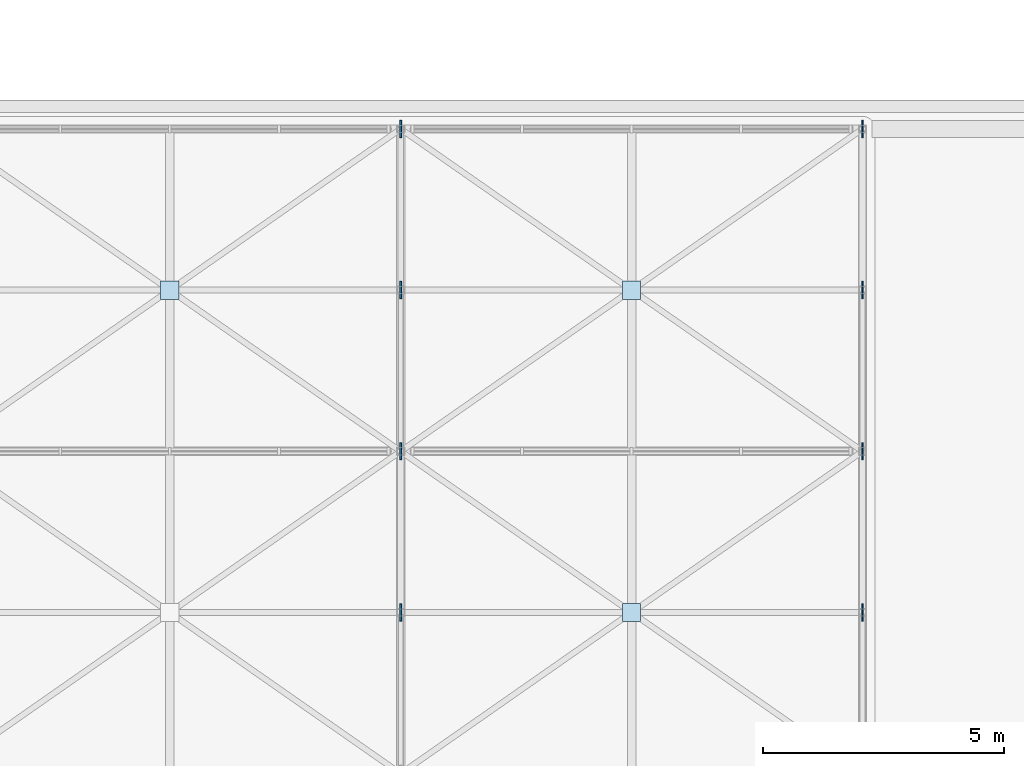
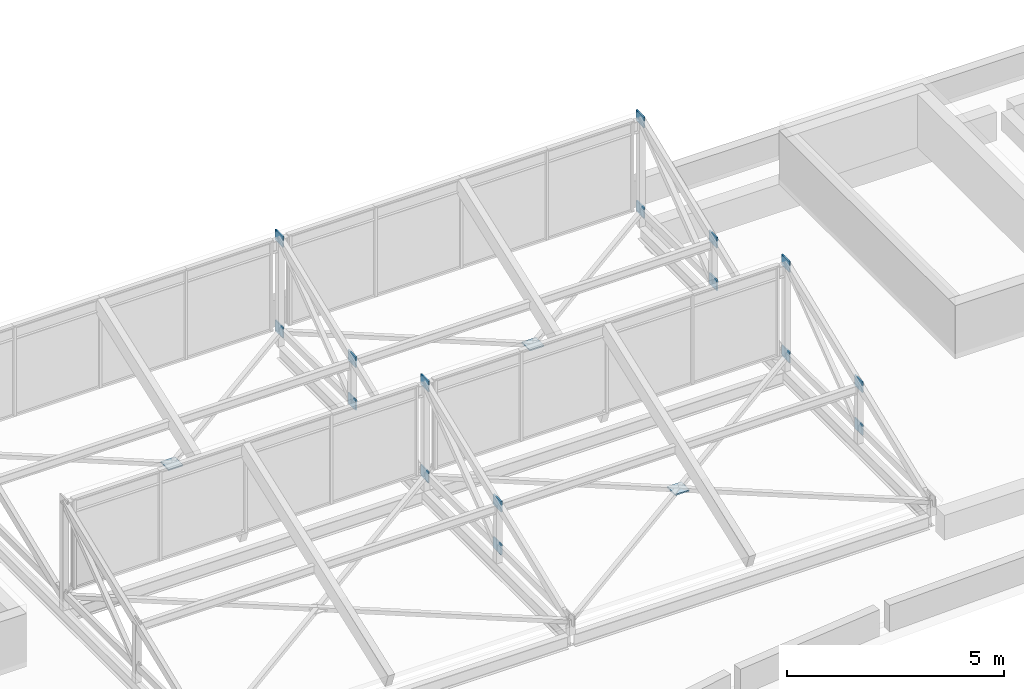
# One storey, part 35 of 40: 19 plates.
"""IFC4 building model written with IfcOpenShell, lengths in metres."""

import ifcopenshell
import ifcopenshell.guid

model = None  # the IFC model being written
_history = None  # IfcOwnerHistory: only IFC2X3 demands one
_inside = {}  # id of a spatial element -> (the spatial element, [elements in it])
_under = {}  # id of a project, library or spatial element -> (it, [spatial elements below it])
_declared = {}  # id of a project -> (the project, [libraries it declares])
_typed = {}  # id of a type object -> (the type object, [elements of that type])
_made_of = {}  # id of a material, layer set ... -> (it, [elements and type objects made of it])


def new_model(schema):
    """Start an empty IFC model of exactly this schema.

    Asked for "IFC4X3", IfcOpenShell would pick the latest addendum, in which some entities
    have other attributes; the version numbers below select the first issue.
    IFC2X3 requires an IfcOwnerHistory on every rooted entity: one is made here for all.
    """
    global model, _history
    if schema == "IFC4X3":
        model = ifcopenshell.file(schema_version=(4, 3, 0, 0))
    else:
        model = ifcopenshell.file(schema=schema)
    _inside.clear()
    _under.clear()
    _declared.clear()
    _typed.clear()
    _made_of.clear()
    _history = None
    if model.schema == "IFC2X3":
        org = make("IfcOrganization", Name="unknown")
        user = make(
            "IfcPersonAndOrganization",
            ThePerson=make("IfcPerson", FamilyName="unknown"),
            TheOrganization=org,
        )
        app = make(
            "IfcApplication",
            ApplicationDeveloper=org,
            Version="unknown",
            ApplicationFullName="unknown",
            ApplicationIdentifier="unknown",
        )
        _history = make(
            "IfcOwnerHistory",
            OwningUser=user,
            OwningApplication=app,
            ChangeAction="ADDED",
            CreationDate=0,
        )
    return model


def make(cls, **values):
    """One entity of the class cls with the attributes given. An attribute that is None is left unset."""
    return model.create_entity(
        cls, **{name: value for name, value in values.items() if value is not None}
    )


def rooted(cls, **values):
    """An entity with a GlobalId (a new one), such as an element, a storey or a relation."""
    return make(cls, GlobalId=ifcopenshell.guid.new(), OwnerHistory=_history, **values)


def si_unit(unit_type, name, prefix=None):
    """IfcSIUnit, for example si_unit("LENGTHUNIT", "METRE", prefix="MILLI")."""
    return make("IfcSIUnit", UnitType=unit_type, Prefix=prefix, Name=name)


def assignment(units):
    """IfcUnitAssignment: the units of a project."""
    return None if units is None else make("IfcUnitAssignment", Units=units)


def point(xyz):
    """IfcCartesianPoint."""
    return None if xyz is None else make("IfcCartesianPoint", Coordinates=xyz)


def direction(xyz):
    """IfcDirection."""
    return None if xyz is None else make("IfcDirection", DirectionRatios=xyz)


def frame(location, z_axis=None, x_axis=None):
    """IfcAxis2Placement3D, a coordinate frame: its origin and axes. An axis left out is left unset."""
    return make(
        "IfcAxis2Placement3D",
        Location=point(location),
        Axis=direction(z_axis),
        RefDirection=direction(x_axis),
    )


def frame_2d(location, x_axis=None):
    """IfcAxis2Placement2D, a coordinate frame in the plane: its origin and x axis."""
    return make(
        "IfcAxis2Placement2D", Location=point(location), RefDirection=direction(x_axis)
    )


def origin():
    """The frame at (0, 0, 0) with its axes left unset."""
    return frame((0.0, 0.0, 0.0))


def origin_2d():
    """The frame at (0, 0) in the plane with its x axis left unset."""
    return frame_2d((0.0, 0.0))


def place(relative_to, where):
    """IfcLocalPlacement: puts the frame where relative to a parent placement (None: the world)."""
    return make(
        "IfcLocalPlacement", PlacementRelTo=relative_to, RelativePlacement=where
    )


def context(
    kind, dimensions, precision=None, world=None, true_north=None, identifier=None
):
    """IfcGeometricRepresentationContext, for example the 3D "Model" context."""
    return make(
        "IfcGeometricRepresentationContext",
        ContextIdentifier=identifier,
        ContextType=kind,
        CoordinateSpaceDimension=dimensions,
        Precision=precision,
        WorldCoordinateSystem=world,
        TrueNorth=true_north,
    )


def subcontext(parent, identifier, kind, view, scale=None):
    """IfcGeometricRepresentationSubContext, for example "Body" below "Model"."""
    return make(
        "IfcGeometricRepresentationSubContext",
        ContextIdentifier=identifier,
        ContextType=kind,
        ParentContext=parent,
        TargetScale=scale,
        TargetView=view,
    )


def project(units=None, contexts=None):
    """IfcProject with its units and contexts."""
    return rooted(
        "IfcProject",
        Name="project",
        RepresentationContexts=contexts,
        UnitsInContext=assignment(units),
    )


def spatial(cls, under=None, at=None, **own):
    """A site, building, storey or space (cls), placed at a placement, below another one or the project."""
    s = rooted(cls, ObjectPlacement=at, **own)
    if under is not None:
        _under.setdefault(under.id(), (under, []))[1].append(s)
    return s


def profile(cls, at=None, kind="AREA", **sizes):
    """A parametric profile (cls). Its sizes go by their IFC names, for example OverallWidth=200.0."""
    return make(cls, ProfileType=kind, Position=at, **sizes)


def rectangle(**sizes):
    """IfcRectangleProfileDef."""
    return profile("IfcRectangleProfileDef", **sizes)


def extrude(swept, where, along, depth):
    """IfcExtrudedAreaSolid: the profile swept, set in the frame where, extruded along a direction by depth."""
    return make(
        "IfcExtrudedAreaSolid",
        SweptArea=swept,
        Position=where,
        ExtrudedDirection=direction(along),
        Depth=depth,
    )


def shape(context_of_items, identifier, shape_type, items):
    """IfcShapeRepresentation: the items that make up one representation, for example the "Body"."""
    return make(
        "IfcShapeRepresentation",
        ContextOfItems=context_of_items,
        RepresentationIdentifier=identifier,
        RepresentationType=shape_type,
        Items=items,
    )


def material(Name=None, Category=None):
    """IfcMaterial."""
    return make("IfcMaterial", Name=Name, Category=Category)


def layer(
    of_material, thickness, ventilated=None, Name=None, Category=None, Priority=None
):
    """IfcMaterialLayer: one layer of a wall or slab, of a material (None: an air gap)."""
    return make(
        "IfcMaterialLayer",
        Material=of_material,
        LayerThickness=thickness,
        IsVentilated=ventilated,
        Name=Name,
        Category=Category,
        Priority=Priority,
    )


def layer_set(layers, Name=None):
    """IfcMaterialLayerSet."""
    return make("IfcMaterialLayerSet", MaterialLayers=layers, LayerSetName=Name)


def made_of(thing, what):
    """Note that an element or type object is made of a material, layer set ...; save() writes the relation."""
    if what is not None:
        _made_of.setdefault(what.id(), (what, []))[1].append(thing)
    return thing


def type_object(cls, material=None, **own):
    """A type object (cls), such as IfcWallType, which elements share."""
    return made_of(rooted(cls, **own), material)


def element(
    cls,
    number,
    at=None,
    inside=None,
    cuts=None,
    type_object=None,
    material=None,
    context=None,
    identifier="Body",
    shape_type=None,
    held_by="IfcProductDefinitionShape",
    body=None,
    shapes=None,
    **own,
):
    """One element of the class cls, such as IfcWall. Its Tag is "e" and its number.

    at: its placement. inside: the storey or other place that contains it. cuts: it is an
    opening in that element (IfcRelVoidsElement). A single representation is given by context,
    identifier, shape_type and body (its items); several are given by shapes. held_by: the class
    of the entity that holds the representations. save() writes the other relations.
    """
    e = rooted(cls, Tag="e%d" % number, ObjectPlacement=at, **own)
    if body is not None:
        shapes = [shape(context, identifier, shape_type, body)]
    if shapes is not None:
        e.Representation = make(held_by, Representations=shapes)
    if inside is not None:
        _inside.setdefault(inside.id(), (inside, []))[1].append(e)
    if cuts is not None:
        rooted(
            "IfcRelVoidsElement", RelatingBuildingElement=cuts, RelatedOpeningElement=e
        )
    if type_object is not None:
        _typed.setdefault(type_object.id(), (type_object, []))[1].append(e)
    return made_of(e, material)


def aggregate(whole, parts):
    """IfcRelAggregates: a whole, such as a stair, and the parts it consists of."""
    return rooted("IfcRelAggregates", RelatingObject=whole, RelatedObjects=parts)


def save(model, path):
    """Write the relations noted so far, then the file.

    IfcRelAggregates (storeys below a building ...), IfcRelContainedInSpatialStructure (elements
    in a storey), IfcRelDefinesByType, IfcRelAssociatesMaterial and IfcRelDeclares: one each for
    every whole, place, type object, material and project.
    """
    for whole, parts in _under.values():
        aggregate(whole, parts)
    for where, things in _inside.values():
        rooted(
            "IfcRelContainedInSpatialStructure",
            RelatedElements=things,
            RelatingStructure=where,
        )
    for kind, things in _typed.values():
        rooted("IfcRelDefinesByType", RelatedObjects=things, RelatingType=kind)
    for what, things in _made_of.values():
        rooted("IfcRelAssociatesMaterial", RelatedObjects=things, RelatingMaterial=what)
    for by, libraries in _declared.values():
        rooted("IfcRelDeclares", RelatingContext=by, RelatedDefinitions=libraries)
    model.write(path)


model = new_model("IFC4")

# Units and contexts
model_context = context("Model", 3, precision=1e-05, world=origin(), true_north=direction((0.0, 1.0)))
body_context = subcontext(model_context, "Body", "Model", "MODEL_VIEW")
ifc_project = project(units=[si_unit("LENGTHUNIT", "METRE"), si_unit("AREAUNIT", "SQUARE_METRE"), si_unit("VOLUMEUNIT", "CUBIC_METRE"), si_unit("PLANEANGLEUNIT", "RADIAN"), si_unit("MASSUNIT", "GRAM", prefix="KILO")], contexts=[model_context])

# Site, building, storey
site_placement = place(None, origin())
site = spatial("IfcSite", under=ifc_project, at=site_placement, CompositionType="ELEMENT")
building_placement = place(site_placement, origin())
building = spatial("IfcBuilding", under=site, at=building_placement, Name="Mzevani Central Library", CompositionType="ELEMENT")
storey_placement = place(building_placement, frame((0.0, 0.0, 26.699951171875)))
storey = spatial("IfcBuildingStorey", under=building, at=storey_placement, Name="RF", CompositionType="ELEMENT", Elevation=26.699951171875)

# Plates
ifc_material = material(Name="Steel S355J2", Category="steel")
ifc_layer = layer(ifc_material, 0.035888671875, Name="Truss Splice Flange Plate 36")
ifc_layer_set = layer_set([ifc_layer], Name="Steel S355J2")
plate_type = type_object("IfcPlateType", Name="Truss Splice Flange Plate 36", PredefinedType="USERDEFINED", material=ifc_layer_set)
for number, where, z_axis, x_axis, name in (
    (1, (73.60009765625, 103.35009765625, -4.169921875), (0.0, 0.0, 1.0), (1.0, 0.0, 0.0), "RF Sawtooth Truss 1.2 Node Gusset 2"),
    (2, (73.60009765625, 103.35009765625, -2.97021484375), (0.0, 0.0, 1.0), (1.0, 0.0, 0.0), "RF Sawtooth Truss 1.2 Node Gusset 3"),
    (3, (73.60009765625, 106.699951171875, -4.169921875), (0.0, 0.0, 1.0), (1.0, 0.0, 0.0), "RF Sawtooth Truss 1.2 Node Gusset 4"),
    (4, (73.60009765625, 106.699951171875, -1.6201171875), (0.0, 0.0, 1.0), (1.0, 0.0, 0.0), "RF Sawtooth Truss 1.2 Node Gusset 5"),
    (5, (83.199951171875, 103.35009765625, -4.169921875), (0.0, 0.0, 1.0), (1.0, 0.0, 0.0), "RF Sawtooth Truss 1.3 Node Gusset 2"),
    (6, (83.199951171875, 103.35009765625, -2.97021484375), (0.0, 0.0, 1.0), (1.0, 0.0, 0.0), "RF Sawtooth Truss 1.3 Node Gusset 3"),
    (7, (83.199951171875, 106.699951171875, -4.169921875), (0.0, 0.0, 1.0), (1.0, 0.0, 0.0), "RF Sawtooth Truss 1.3 Node Gusset 4"),
    (8, (83.199951171875, 106.699951171875, -1.6201171875), (0.0, 0.0, 1.0), (1.0, 0.0, 0.0), "RF Sawtooth Truss 1.3 Node Gusset 5"),
):
    element("IfcPlate", number, at=place(storey_placement, frame(where, z_axis=z_axis, x_axis=x_axis)), inside=storey, type_object=plate_type, Name=name, ObjectType="SPLICE PLATE", PredefinedType="USERDEFINED", context=body_context, shape_type="SweptSolid", body=[
        extrude(rectangle(XDim=0.035888671875, YDim=0.360107421875, at=origin_2d()), origin(), (0.0, 0.0, 1.0), 0.300048828125),
    ])
plate_placement = place(storey_placement, frame((78.39990234375, 103.35009765625, -4.11767578125), z_axis=(0.0, 0.0, 1.0), x_axis=(1.0, 0.0, 0.0)))
element("IfcPlate", 9, at=plate_placement, inside=storey, type_object=plate_type, Name="RF Sawtooth Plan X-Brace Crossing Gusset 1.73", ObjectType="SPLICE PLATE", PredefinedType="USERDEFINED", context=body_context, shape_type="SweptSolid", body=[
    extrude(rectangle(XDim=0.3798828125, YDim=0.3798828125, at=origin_2d()), origin(), (0.0, 0.0, 1.0), 0.035888671875),
])
for number, where, z_axis, x_axis, name in (
    (10, (73.60009765625, 110.050048828125, -4.169921875), (0.0, 0.0, 1.0), (1.0, 0.0, 0.0), "RF Sawtooth Truss 2.2 Node Gusset 1"),
    (11, (73.60009765625, 110.050048828125, -2.97021484375), (0.0, 0.0, 1.0), (1.0, 0.0, 0.0), "RF Sawtooth Truss 2.2 Node Gusset 2"),
    (12, (73.60009765625, 113.39990234375, -4.169921875), (0.0, 0.0, 1.0), (1.0, 0.0, 0.0), "RF Sawtooth Truss 2.2 Node Gusset 3"),
    (13, (73.60009765625, 113.39990234375, -1.6201171875), (0.0, 0.0, 1.0), (1.0, 0.0, 0.0), "RF Sawtooth Truss 2.2 Node Gusset 4"),
    (14, (83.199951171875, 110.050048828125, -4.169921875), (0.0, 0.0, 1.0), (1.0, 0.0, 0.0), "RF Sawtooth Truss 2.3 Node Gusset 1"),
    (15, (83.199951171875, 110.050048828125, -2.97021484375), (0.0, 0.0, 1.0), (1.0, 0.0, 0.0), "RF Sawtooth Truss 2.3 Node Gusset 2"),
    (16, (83.199951171875, 113.39990234375, -4.169921875), (0.0, 0.0, 1.0), (1.0, 0.0, 0.0), "RF Sawtooth Truss 2.3 Node Gusset 3"),
    (17, (83.199951171875, 113.39990234375, -1.6201171875), (0.0, 0.0, 1.0), (1.0, 0.0, 0.0), "RF Sawtooth Truss 2.3 Node Gusset 4"),
):
    element("IfcPlate", number, at=place(storey_placement, frame(where, z_axis=z_axis, x_axis=x_axis)), inside=storey, type_object=plate_type, Name=name, ObjectType="SPLICE PLATE", PredefinedType="USERDEFINED", context=body_context, shape_type="SweptSolid", body=[
        extrude(rectangle(XDim=0.035888671875, YDim=0.360107421875, at=origin_2d()), origin(), (0.0, 0.0, 1.0), 0.300048828125),
    ])
for number, where, z_axis, x_axis, name in (
    (18, (68.800048828125, 110.050048828125, -4.11767578125), (0.0, 0.0, 1.0), (1.0, 0.0, 0.0), "RF Sawtooth Plan X-Brace Crossing Gusset 2.64"),
    (19, (78.39990234375, 110.050048828125, -4.11767578125), (0.0, 0.0, 1.0), (1.0, 0.0, 0.0), "RF Sawtooth Plan X-Brace Crossing Gusset 2.73"),
):
    element("IfcPlate", number, at=place(storey_placement, frame(where, z_axis=z_axis, x_axis=x_axis)), inside=storey, type_object=plate_type, Name=name, ObjectType="SPLICE PLATE", PredefinedType="USERDEFINED", context=body_context, shape_type="SweptSolid", body=[
        extrude(rectangle(XDim=0.3798828125, YDim=0.3798828125, at=origin_2d()), origin(), (0.0, 0.0, 1.0), 0.035888671875),
    ])

save(model, "model.ifc")
